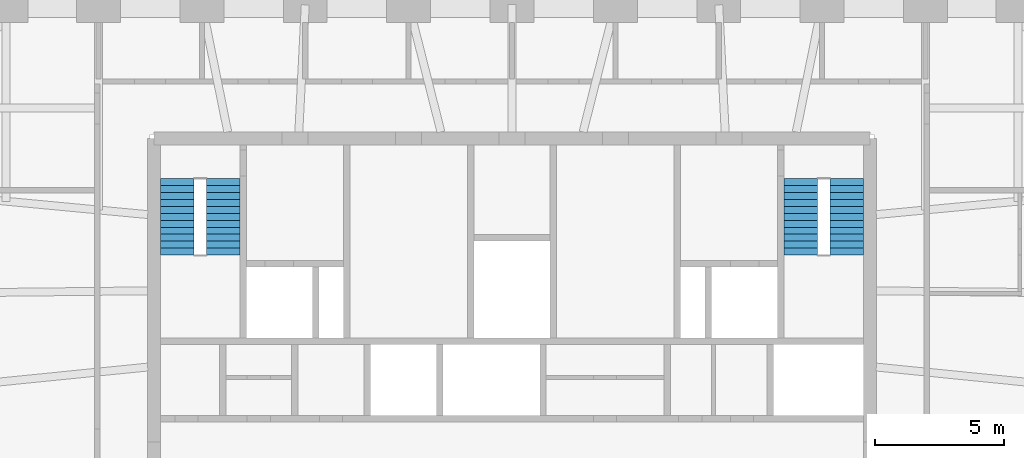
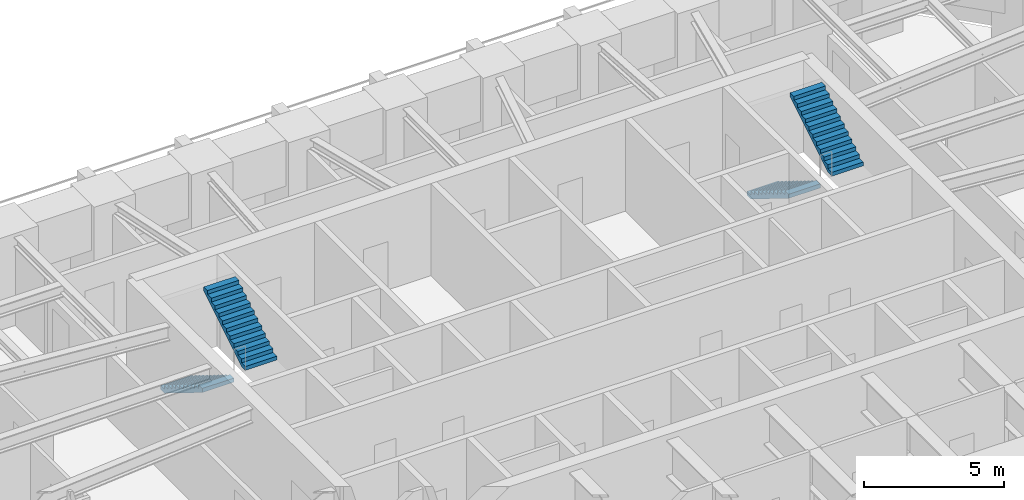
# One storey, part 9 of 12: 4 stair flights, 2 elements without a shape of their own.
"""IFC4 building model written with IfcOpenShell, lengths in metres."""

from ifc_helpers import new_model, si_unit, direction, frame, origin, place, context, subcontext, project, spatial, polyline, outline, extrude, material, type_object, element, aggregate, save


model = new_model("IFC4")

# Units and contexts
model_context = context("Model", 3, precision=1e-05, world=origin(), true_north=direction((0.0, 1.0)))
body_context = subcontext(model_context, "Body", "Model", "MODEL_VIEW")
ifc_project = project(units=[si_unit("LENGTHUNIT", "METRE"), si_unit("AREAUNIT", "SQUARE_METRE"), si_unit("VOLUMEUNIT", "CUBIC_METRE"), si_unit("PLANEANGLEUNIT", "RADIAN"), si_unit("MASSUNIT", "GRAM", prefix="KILO")], contexts=[model_context])

# Site, building, storey
site_placement = place(None, origin())
site = spatial("IfcSite", under=ifc_project, at=site_placement, CompositionType="ELEMENT")
building_placement = place(site_placement, origin())
building = spatial("IfcBuilding", under=site, at=building_placement, Name="Isbrekke Arena Tower", CompositionType="ELEMENT")
storey_placement = place(building_placement, frame((0.0, 0.0, 304.0)))
storey = spatial("IfcBuildingStorey", under=building, at=storey_placement, Name="L71", CompositionType="ELEMENT", Elevation=304.0)

# Stair, stair flights
ifc_material_1 = material(Name="Concrete B45 (C45/55) precast", Category="concrete")
stair_type = type_object("IfcStairType", Name="ST40 STAIR 1300 WIDE, 24 RISERS 167", PredefinedType="HALF_TURN_STAIR", material=ifc_material_1)
stair_1_placement = place(storey_placement, origin())
stair_1 = element("IfcStair", 1, at=stair_1_placement, inside=storey, type_object=stair_type, Name="ST1 stair L71", PredefinedType="HALF_TURN_STAIR")
ifc_material_2 = material(Name="Concrete B45 (C45/55) precast", Category="concrete")
stair_flight_type = type_object("IfcStairFlightType", Name="SF 1300 FLIGHT", PredefinedType="STRAIGHT", material=ifc_material_2)
stair_flight_1_placement = place(storey_placement, frame((-12.949951171875, 22.300048828125, 0.0), z_axis=(0.0, 0.0, 1.0), x_axis=(0.0, -1.0, 0.0)))
stair_flight_1 = element("IfcStairFlight", 2, at=stair_flight_1_placement, type_object=stair_flight_type, Name="ST1 flight 1", NumberOfRisers=12, NumberOfTreads=11, PredefinedType="STRAIGHT", RiserHeight=0.166666667, TreadLength=0.27, context=body_context, shape_type="SweptSolid", body=[
    extrude(outline(polyline([(0.0, 0.0), (0.0, 0.166748046875), (0.27001953125, 0.166748046875), (0.27001953125, 0.333251953125), (0.5400390625, 0.333251953125), (0.5400390625, 0.5), (0.81005859375, 0.5), (0.81005859375, 0.666748046875), (1.080078125, 0.666748046875), (1.080078125, 0.833251953125), (1.35009765625, 0.833251953125), (1.35009765625, 1.0), (1.6201171875, 1.0), (1.6201171875, 1.166748046875), (1.889892578125, 1.166748046875), (1.889892578125, 1.333251953125), (2.159912109375, 1.333251953125), (2.159912109375, 1.5), (2.429931640625, 1.5), (2.429931640625, 1.666748046875), (2.699951171875, 1.666748046875), (2.699951171875, 1.833251953125), (2.969970703125, 1.833251953125), (2.969970703125, 2.0), (2.969970703125, 1.6572265625), (0.285400390625, 0.0), (0.0, 0.0)])), frame((0.0, 0.64990234375, 0.0), z_axis=(0.0, -1.0, 0.0), x_axis=(1.0, 0.0, 0.0)), (0.0, 0.0, 1.0), 1.300048828125),
])
stair_flight_2_placement = place(storey_placement, frame((-11.175048828125, 19.330078125, 2.0), z_axis=(0.0, 0.0, 1.0), x_axis=(0.0, 1.0, 0.0)))
stair_flight_2 = element("IfcStairFlight", 3, at=stair_flight_2_placement, type_object=stair_flight_type, Name="ST1 flight 2", NumberOfRisers=12, NumberOfTreads=11, PredefinedType="STRAIGHT", RiserHeight=0.166666667, TreadLength=0.27, context=body_context, shape_type="SweptSolid", body=[
    extrude(outline(polyline([(0.0, 0.0), (0.0, 0.166748046875), (0.27001953125, 0.166748046875), (0.27001953125, 0.333251953125), (0.5400390625, 0.333251953125), (0.5400390625, 0.5), (0.81005859375, 0.5), (0.81005859375, 0.666748046875), (1.080078125, 0.666748046875), (1.080078125, 0.833251953125), (1.35009765625, 0.833251953125), (1.35009765625, 1.0), (1.6201171875, 1.0), (1.6201171875, 1.166748046875), (1.889892578125, 1.166748046875), (1.889892578125, 1.333251953125), (2.159912109375, 1.333251953125), (2.159912109375, 1.5), (2.429931640625, 1.5), (2.429931640625, 1.666748046875), (2.699951171875, 1.666748046875), (2.699951171875, 1.833251953125), (2.969970703125, 1.833251953125), (2.969970703125, 2.0), (2.969970703125, 1.6572265625), (0.285400390625, 0.0), (0.0, 0.0)])), frame((0.0, 0.64990234375, 0.0), z_axis=(0.0, -1.0, 0.0), x_axis=(1.0, 0.0, 0.0)), (0.0, 0.0, 1.0), 1.300048828125),
])
aggregate(stair_1, [stair_flight_1, stair_flight_2])

stair_2_placement = place(storey_placement, origin())
stair_2 = element("IfcStair", 4, at=stair_2_placement, inside=storey, type_object=stair_type, Name="ST2 stair L71", PredefinedType="HALF_TURN_STAIR")
stair_flight_3_placement = place(storey_placement, frame((11.175048828125, 22.300048828125, 0.0), z_axis=(0.0, 0.0, 1.0), x_axis=(0.0, -1.0, 0.0)))
stair_flight_3 = element("IfcStairFlight", 5, at=stair_flight_3_placement, type_object=stair_flight_type, Name="ST2 flight 1", NumberOfRisers=12, NumberOfTreads=11, PredefinedType="STRAIGHT", RiserHeight=0.166666667, TreadLength=0.27, context=body_context, shape_type="SweptSolid", body=[
    extrude(outline(polyline([(0.0, 0.0), (0.0, 0.166748046875), (0.27001953125, 0.166748046875), (0.27001953125, 0.333251953125), (0.5400390625, 0.333251953125), (0.5400390625, 0.5), (0.81005859375, 0.5), (0.81005859375, 0.666748046875), (1.080078125, 0.666748046875), (1.080078125, 0.833251953125), (1.35009765625, 0.833251953125), (1.35009765625, 1.0), (1.6201171875, 1.0), (1.6201171875, 1.166748046875), (1.889892578125, 1.166748046875), (1.889892578125, 1.333251953125), (2.159912109375, 1.333251953125), (2.159912109375, 1.5), (2.429931640625, 1.5), (2.429931640625, 1.666748046875), (2.699951171875, 1.666748046875), (2.699951171875, 1.833251953125), (2.969970703125, 1.833251953125), (2.969970703125, 2.0), (2.969970703125, 1.6572265625), (0.285400390625, 0.0), (0.0, 0.0)])), frame((0.0, 0.64990234375, 0.0), z_axis=(0.0, -1.0, 0.0), x_axis=(1.0, 0.0, 0.0)), (0.0, 0.0, 1.0), 1.300048828125),
])
stair_flight_4_placement = place(storey_placement, frame((12.949951171875, 19.330078125, 2.0), z_axis=(0.0, 0.0, 1.0), x_axis=(0.0, 1.0, 0.0)))
stair_flight_4 = element("IfcStairFlight", 6, at=stair_flight_4_placement, type_object=stair_flight_type, Name="ST2 flight 2", NumberOfRisers=12, NumberOfTreads=11, PredefinedType="STRAIGHT", RiserHeight=0.166666667, TreadLength=0.27, context=body_context, shape_type="SweptSolid", body=[
    extrude(outline(polyline([(0.0, 0.0), (0.0, 0.166748046875), (0.27001953125, 0.166748046875), (0.27001953125, 0.333251953125), (0.5400390625, 0.333251953125), (0.5400390625, 0.5), (0.81005859375, 0.5), (0.81005859375, 0.666748046875), (1.080078125, 0.666748046875), (1.080078125, 0.833251953125), (1.35009765625, 0.833251953125), (1.35009765625, 1.0), (1.6201171875, 1.0), (1.6201171875, 1.166748046875), (1.889892578125, 1.166748046875), (1.889892578125, 1.333251953125), (2.159912109375, 1.333251953125), (2.159912109375, 1.5), (2.429931640625, 1.5), (2.429931640625, 1.666748046875), (2.699951171875, 1.666748046875), (2.699951171875, 1.833251953125), (2.969970703125, 1.833251953125), (2.969970703125, 2.0), (2.969970703125, 1.6572265625), (0.285400390625, 0.0), (0.0, 0.0)])), frame((0.0, 0.64990234375, 0.0), z_axis=(0.0, -1.0, 0.0), x_axis=(1.0, 0.0, 0.0)), (0.0, 0.0, 1.0), 1.300048828125),
])
aggregate(stair_2, [stair_flight_3, stair_flight_4])

save(model, "model.ifc")
